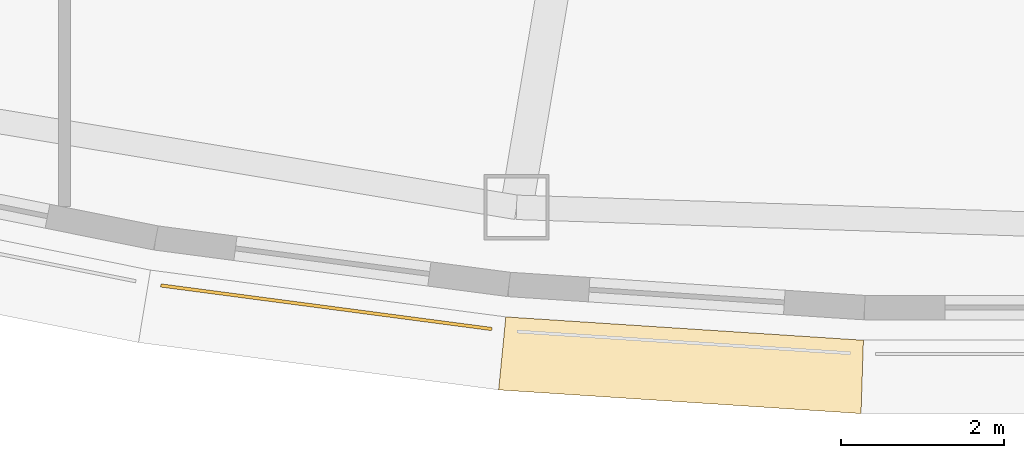
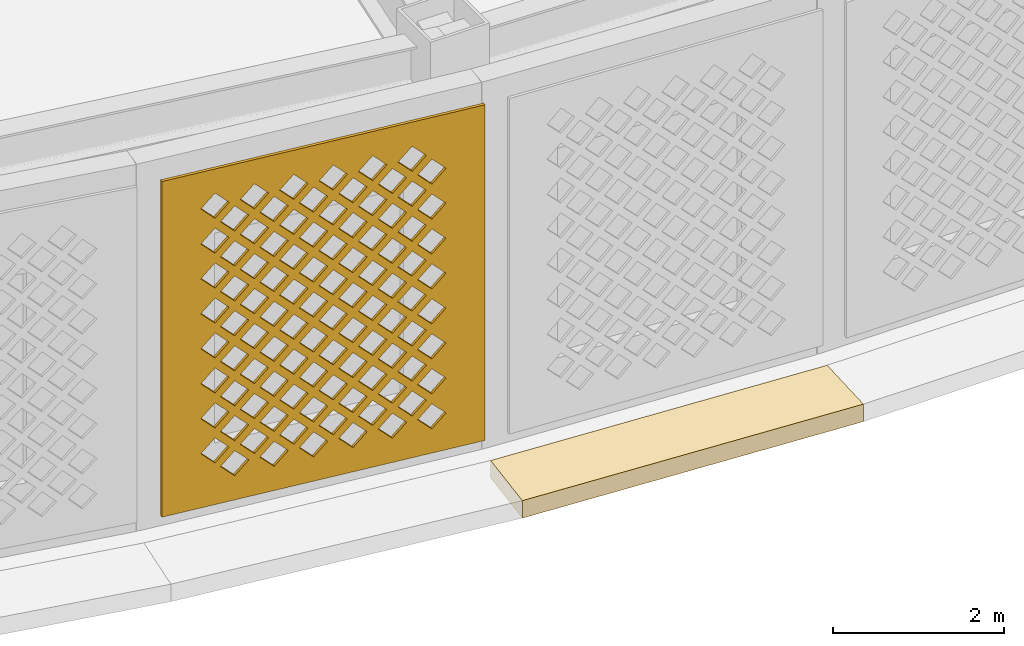
# One storey, part 50 of 69: 2 coverings.
"""IFC4 building model written with IfcOpenShell, lengths in metres."""

from ifc_helpers import new_model, si_unit, direction, frame, origin, place, context, subcontext, project, spatial, polyline, outline, extrude, material, layer, layer_set, type_object, element, save


model = new_model("IFC4")

# Units and contexts
model_context = context("Model", 3, precision=1e-05, world=origin(), true_north=direction((0.0, 1.0)))
body_context = subcontext(model_context, "Body", "Model", "MODEL_VIEW")
ifc_project = project(units=[si_unit("LENGTHUNIT", "METRE"), si_unit("AREAUNIT", "SQUARE_METRE"), si_unit("VOLUMEUNIT", "CUBIC_METRE"), si_unit("PLANEANGLEUNIT", "RADIAN"), si_unit("MASSUNIT", "GRAM", prefix="KILO")], contexts=[model_context])

# Site, building, storey
site_placement = place(None, origin())
site = spatial("IfcSite", under=ifc_project, at=site_placement, CompositionType="ELEMENT")
building_placement = place(site_placement, origin())
building = spatial("IfcBuilding", under=site, at=building_placement, Name="Noorbagh Ring Tower", CompositionType="ELEMENT")
storey_placement = place(building_placement, frame((0.0, 0.0, 19.5)))
storey = spatial("IfcBuildingStorey", under=building, at=storey_placement, Name="L03", CompositionType="ELEMENT", Elevation=19.5)

# Coverings
ifc_material_1 = material(Name="Red sandstone eave", Category="masonry")
covering_type_1 = type_object("IfcCoveringType", Name="STY-CHHAJJA", PredefinedType="USERDEFINED", material=ifc_material_1)
covering_1_placement = place(storey_placement, frame((0.0, 0.0, -0.25)))
element("IfcCovering", 1, at=covering_1_placement, inside=storey, type_object=covering_type_1, Name="Chhajja eave", ObjectType="CHHAJJA", PredefinedType="USERDEFINED", context=body_context, shape_type="SweptSolid", body=[
    extrude(outline(polyline([(-6.586181640625, -39.677978515625), (-2.198486328125, -39.964111328125), (-2.227783203125, -40.8642578125), (-6.67431640625, -40.573974609375), (-6.586181640625, -39.677978515625)])), origin(), (0.0, 0.0, 1.0), 0.25),
])
ifc_material_2 = material(Name="Red sandstone jali", Category="masonry")
ifc_layer = layer(ifc_material_2, 0.0400390625)
ifc_layer_set = layer_set([ifc_layer], Name="Red sandstone jali")
covering_type_2 = type_object("IfcCoveringType", Name="STY-JALI", PredefinedType="USERDEFINED", material=ifc_layer_set)
covering_2_placement = place(storey_placement, frame((-10.82177734375, -39.311767578125, 0.449951171875), z_axis=(-0.130559329934, -0.991440498148, 0.0), x_axis=(0.991440498148, -0.130559329934, 0.0)))
element("IfcCovering", 2, at=covering_2_placement, inside=storey, type_object=covering_type_2, Name="Jali screen", ObjectType="SCREEN", PredefinedType="USERDEFINED", context=body_context, shape_type="SweptSolid", body=[
    extrude(outline(polyline([(0.0, 0.0), (4.09716796875, 0.0), (4.09716796875, 4.800048828125), (0.0, 4.800048828125), (0.0, 0.0)]), holes=[polyline([(0.743408203125, 0.52490234375), (0.923583984375, 0.344970703125), (1.103515625, 0.52490234375), (0.923583984375, 0.705078125), (0.743408203125, 0.52490234375)]), polyline([(1.243408203125, 0.52490234375), (1.423583984375, 0.344970703125), (1.603515625, 0.52490234375), (1.423583984375, 0.705078125), (1.243408203125, 0.52490234375)]), polyline([(1.743408203125, 0.52490234375), (1.923583984375, 0.344970703125), (2.103515625, 0.52490234375), (1.923583984375, 0.705078125), (1.743408203125, 0.52490234375)]), polyline([(2.243408203125, 0.52490234375), (2.423583984375, 0.344970703125), (2.603515625, 0.52490234375), (2.423583984375, 0.705078125), (2.243408203125, 0.52490234375)]), polyline([(2.743408203125, 0.52490234375), (2.923583984375, 0.344970703125), (3.103515625, 0.52490234375), (2.923583984375, 0.705078125), (2.743408203125, 0.52490234375)]), polyline([(3.243408203125, 0.52490234375), (3.423583984375, 0.344970703125), (3.603515625, 0.52490234375), (3.423583984375, 0.705078125), (3.243408203125, 0.52490234375)]), polyline([(0.493408203125, 0.77490234375), (0.673583984375, 0.594970703125), (0.853515625, 0.77490234375), (0.673583984375, 0.955078125), (0.493408203125, 0.77490234375)]), polyline([(0.993408203125, 0.77490234375), (1.173583984375, 0.594970703125), (1.353515625, 0.77490234375), (1.173583984375, 0.955078125), (0.993408203125, 0.77490234375)]), polyline([(1.493408203125, 0.77490234375), (1.673583984375, 0.594970703125), (1.853515625, 0.77490234375), (1.673583984375, 0.955078125), (1.493408203125, 0.77490234375)]), polyline([(1.993408203125, 0.77490234375), (2.173583984375, 0.594970703125), (2.353515625, 0.77490234375), (2.173583984375, 0.955078125), (1.993408203125, 0.77490234375)]), polyline([(2.493408203125, 0.77490234375), (2.673583984375, 0.594970703125), (2.853515625, 0.77490234375), (2.673583984375, 0.955078125), (2.493408203125, 0.77490234375)]), polyline([(2.993408203125, 0.77490234375), (3.173583984375, 0.594970703125), (3.353515625, 0.77490234375), (3.173583984375, 0.955078125), (2.993408203125, 0.77490234375)]), polyline([(0.743408203125, 1.02490234375), (0.923583984375, 0.844970703125), (1.103515625, 1.02490234375), (0.923583984375, 1.205078125), (0.743408203125, 1.02490234375)]), polyline([(1.243408203125, 1.02490234375), (1.423583984375, 0.844970703125), (1.603515625, 1.02490234375), (1.423583984375, 1.205078125), (1.243408203125, 1.02490234375)]), polyline([(1.743408203125, 1.02490234375), (1.923583984375, 0.844970703125), (2.103515625, 1.02490234375), (1.923583984375, 1.205078125), (1.743408203125, 1.02490234375)]), polyline([(2.243408203125, 1.02490234375), (2.423583984375, 0.844970703125), (2.603515625, 1.02490234375), (2.423583984375, 1.205078125), (2.243408203125, 1.02490234375)]), polyline([(2.743408203125, 1.02490234375), (2.923583984375, 0.844970703125), (3.103515625, 1.02490234375), (2.923583984375, 1.205078125), (2.743408203125, 1.02490234375)]), polyline([(3.243408203125, 1.02490234375), (3.423583984375, 0.844970703125), (3.603515625, 1.02490234375), (3.423583984375, 1.205078125), (3.243408203125, 1.02490234375)]), polyline([(0.493408203125, 1.27490234375), (0.673583984375, 1.094970703125), (0.853515625, 1.27490234375), (0.673583984375, 1.455078125), (0.493408203125, 1.27490234375)]), polyline([(0.993408203125, 1.27490234375), (1.173583984375, 1.094970703125), (1.353515625, 1.27490234375), (1.173583984375, 1.455078125), (0.993408203125, 1.27490234375)]), polyline([(1.493408203125, 1.27490234375), (1.673583984375, 1.094970703125), (1.853515625, 1.27490234375), (1.673583984375, 1.455078125), (1.493408203125, 1.27490234375)]), polyline([(1.993408203125, 1.27490234375), (2.173583984375, 1.094970703125), (2.353515625, 1.27490234375), (2.173583984375, 1.455078125), (1.993408203125, 1.27490234375)]), polyline([(2.493408203125, 1.27490234375), (2.673583984375, 1.094970703125), (2.853515625, 1.27490234375), (2.673583984375, 1.455078125), (2.493408203125, 1.27490234375)]), polyline([(2.993408203125, 1.27490234375), (3.173583984375, 1.094970703125), (3.353515625, 1.27490234375), (3.173583984375, 1.455078125), (2.993408203125, 1.27490234375)]), polyline([(0.743408203125, 1.52490234375), (0.923583984375, 1.344970703125), (1.103515625, 1.52490234375), (0.923583984375, 1.705078125), (0.743408203125, 1.52490234375)]), polyline([(1.243408203125, 1.52490234375), (1.423583984375, 1.344970703125), (1.603515625, 1.52490234375), (1.423583984375, 1.705078125), (1.243408203125, 1.52490234375)]), polyline([(1.743408203125, 1.52490234375), (1.923583984375, 1.344970703125), (2.103515625, 1.52490234375), (1.923583984375, 1.705078125), (1.743408203125, 1.52490234375)]), polyline([(2.243408203125, 1.52490234375), (2.423583984375, 1.344970703125), (2.603515625, 1.52490234375), (2.423583984375, 1.705078125), (2.243408203125, 1.52490234375)]), polyline([(2.743408203125, 1.52490234375), (2.923583984375, 1.344970703125), (3.103515625, 1.52490234375), (2.923583984375, 1.705078125), (2.743408203125, 1.52490234375)]), polyline([(3.243408203125, 1.52490234375), (3.423583984375, 1.344970703125), (3.603515625, 1.52490234375), (3.423583984375, 1.705078125), (3.243408203125, 1.52490234375)]), polyline([(0.493408203125, 1.77490234375), (0.673583984375, 1.594970703125), (0.853515625, 1.77490234375), (0.673583984375, 1.955078125), (0.493408203125, 1.77490234375)]), polyline([(0.993408203125, 1.77490234375), (1.173583984375, 1.594970703125), (1.353515625, 1.77490234375), (1.173583984375, 1.955078125), (0.993408203125, 1.77490234375)]), polyline([(1.493408203125, 1.77490234375), (1.673583984375, 1.594970703125), (1.853515625, 1.77490234375), (1.673583984375, 1.955078125), (1.493408203125, 1.77490234375)]), polyline([(1.993408203125, 1.77490234375), (2.173583984375, 1.594970703125), (2.353515625, 1.77490234375), (2.173583984375, 1.955078125), (1.993408203125, 1.77490234375)]), polyline([(2.493408203125, 1.77490234375), (2.673583984375, 1.594970703125), (2.853515625, 1.77490234375), (2.673583984375, 1.955078125), (2.493408203125, 1.77490234375)]), polyline([(2.993408203125, 1.77490234375), (3.173583984375, 1.594970703125), (3.353515625, 1.77490234375), (3.173583984375, 1.955078125), (2.993408203125, 1.77490234375)]), polyline([(0.743408203125, 2.02490234375), (0.923583984375, 1.844970703125), (1.103515625, 2.02490234375), (0.923583984375, 2.205078125), (0.743408203125, 2.02490234375)]), polyline([(1.243408203125, 2.02490234375), (1.423583984375, 1.844970703125), (1.603515625, 2.02490234375), (1.423583984375, 2.205078125), (1.243408203125, 2.02490234375)]), polyline([(1.743408203125, 2.02490234375), (1.923583984375, 1.844970703125), (2.103515625, 2.02490234375), (1.923583984375, 2.205078125), (1.743408203125, 2.02490234375)]), polyline([(2.243408203125, 2.02490234375), (2.423583984375, 1.844970703125), (2.603515625, 2.02490234375), (2.423583984375, 2.205078125), (2.243408203125, 2.02490234375)]), polyline([(2.743408203125, 2.02490234375), (2.923583984375, 1.844970703125), (3.103515625, 2.02490234375), (2.923583984375, 2.205078125), (2.743408203125, 2.02490234375)]), polyline([(3.243408203125, 2.02490234375), (3.423583984375, 1.844970703125), (3.603515625, 2.02490234375), (3.423583984375, 2.205078125), (3.243408203125, 2.02490234375)]), polyline([(0.493408203125, 2.27490234375), (0.673583984375, 2.094970703125), (0.853515625, 2.27490234375), (0.673583984375, 2.455078125), (0.493408203125, 2.27490234375)]), polyline([(0.993408203125, 2.27490234375), (1.173583984375, 2.094970703125), (1.353515625, 2.27490234375), (1.173583984375, 2.455078125), (0.993408203125, 2.27490234375)]), polyline([(1.493408203125, 2.27490234375), (1.673583984375, 2.094970703125), (1.853515625, 2.27490234375), (1.673583984375, 2.455078125), (1.493408203125, 2.27490234375)]), polyline([(1.993408203125, 2.27490234375), (2.173583984375, 2.094970703125), (2.353515625, 2.27490234375), (2.173583984375, 2.455078125), (1.993408203125, 2.27490234375)]), polyline([(2.493408203125, 2.27490234375), (2.673583984375, 2.094970703125), (2.853515625, 2.27490234375), (2.673583984375, 2.455078125), (2.493408203125, 2.27490234375)]), polyline([(2.993408203125, 2.27490234375), (3.173583984375, 2.094970703125), (3.353515625, 2.27490234375), (3.173583984375, 2.455078125), (2.993408203125, 2.27490234375)]), polyline([(0.743408203125, 2.52490234375), (0.923583984375, 2.344970703125), (1.103515625, 2.52490234375), (0.923583984375, 2.705078125), (0.743408203125, 2.52490234375)]), polyline([(1.243408203125, 2.52490234375), (1.423583984375, 2.344970703125), (1.603515625, 2.52490234375), (1.423583984375, 2.705078125), (1.243408203125, 2.52490234375)]), polyline([(1.743408203125, 2.52490234375), (1.923583984375, 2.344970703125), (2.103515625, 2.52490234375), (1.923583984375, 2.705078125), (1.743408203125, 2.52490234375)]), polyline([(2.243408203125, 2.52490234375), (2.423583984375, 2.344970703125), (2.603515625, 2.52490234375), (2.423583984375, 2.705078125), (2.243408203125, 2.52490234375)]), polyline([(2.743408203125, 2.52490234375), (2.923583984375, 2.344970703125), (3.103515625, 2.52490234375), (2.923583984375, 2.705078125), (2.743408203125, 2.52490234375)]), polyline([(3.243408203125, 2.52490234375), (3.423583984375, 2.344970703125), (3.603515625, 2.52490234375), (3.423583984375, 2.705078125), (3.243408203125, 2.52490234375)]), polyline([(0.493408203125, 2.77490234375), (0.673583984375, 2.594970703125), (0.853515625, 2.77490234375), (0.673583984375, 2.955078125), (0.493408203125, 2.77490234375)]), polyline([(0.993408203125, 2.77490234375), (1.173583984375, 2.594970703125), (1.353515625, 2.77490234375), (1.173583984375, 2.955078125), (0.993408203125, 2.77490234375)]), polyline([(1.493408203125, 2.77490234375), (1.673583984375, 2.594970703125), (1.853515625, 2.77490234375), (1.673583984375, 2.955078125), (1.493408203125, 2.77490234375)]), polyline([(1.993408203125, 2.77490234375), (2.173583984375, 2.594970703125), (2.353515625, 2.77490234375), (2.173583984375, 2.955078125), (1.993408203125, 2.77490234375)]), polyline([(2.493408203125, 2.77490234375), (2.673583984375, 2.594970703125), (2.853515625, 2.77490234375), (2.673583984375, 2.955078125), (2.493408203125, 2.77490234375)]), polyline([(2.993408203125, 2.77490234375), (3.173583984375, 2.594970703125), (3.353515625, 2.77490234375), (3.173583984375, 2.955078125), (2.993408203125, 2.77490234375)]), polyline([(0.743408203125, 3.02490234375), (0.923583984375, 2.844970703125), (1.103515625, 3.02490234375), (0.923583984375, 3.205078125), (0.743408203125, 3.02490234375)]), polyline([(1.243408203125, 3.02490234375), (1.423583984375, 2.844970703125), (1.603515625, 3.02490234375), (1.423583984375, 3.205078125), (1.243408203125, 3.02490234375)]), polyline([(1.743408203125, 3.02490234375), (1.923583984375, 2.844970703125), (2.103515625, 3.02490234375), (1.923583984375, 3.205078125), (1.743408203125, 3.02490234375)]), polyline([(2.243408203125, 3.02490234375), (2.423583984375, 2.844970703125), (2.603515625, 3.02490234375), (2.423583984375, 3.205078125), (2.243408203125, 3.02490234375)]), polyline([(2.743408203125, 3.02490234375), (2.923583984375, 2.844970703125), (3.103515625, 3.02490234375), (2.923583984375, 3.205078125), (2.743408203125, 3.02490234375)]), polyline([(3.243408203125, 3.02490234375), (3.423583984375, 2.844970703125), (3.603515625, 3.02490234375), (3.423583984375, 3.205078125), (3.243408203125, 3.02490234375)]), polyline([(0.493408203125, 3.27490234375), (0.673583984375, 3.094970703125), (0.853515625, 3.27490234375), (0.673583984375, 3.455078125), (0.493408203125, 3.27490234375)]), polyline([(0.993408203125, 3.27490234375), (1.173583984375, 3.094970703125), (1.353515625, 3.27490234375), (1.173583984375, 3.455078125), (0.993408203125, 3.27490234375)]), polyline([(1.493408203125, 3.27490234375), (1.673583984375, 3.094970703125), (1.853515625, 3.27490234375), (1.673583984375, 3.455078125), (1.493408203125, 3.27490234375)]), polyline([(1.993408203125, 3.27490234375), (2.173583984375, 3.094970703125), (2.353515625, 3.27490234375), (2.173583984375, 3.455078125), (1.993408203125, 3.27490234375)]), polyline([(2.493408203125, 3.27490234375), (2.673583984375, 3.094970703125), (2.853515625, 3.27490234375), (2.673583984375, 3.455078125), (2.493408203125, 3.27490234375)]), polyline([(2.993408203125, 3.27490234375), (3.173583984375, 3.094970703125), (3.353515625, 3.27490234375), (3.173583984375, 3.455078125), (2.993408203125, 3.27490234375)]), polyline([(0.743408203125, 3.52490234375), (0.923583984375, 3.344970703125), (1.103515625, 3.52490234375), (0.923583984375, 3.705078125), (0.743408203125, 3.52490234375)]), polyline([(1.243408203125, 3.52490234375), (1.423583984375, 3.344970703125), (1.603515625, 3.52490234375), (1.423583984375, 3.705078125), (1.243408203125, 3.52490234375)]), polyline([(1.743408203125, 3.52490234375), (1.923583984375, 3.344970703125), (2.103515625, 3.52490234375), (1.923583984375, 3.705078125), (1.743408203125, 3.52490234375)]), polyline([(2.243408203125, 3.52490234375), (2.423583984375, 3.344970703125), (2.603515625, 3.52490234375), (2.423583984375, 3.705078125), (2.243408203125, 3.52490234375)]), polyline([(2.743408203125, 3.52490234375), (2.923583984375, 3.344970703125), (3.103515625, 3.52490234375), (2.923583984375, 3.705078125), (2.743408203125, 3.52490234375)]), polyline([(3.243408203125, 3.52490234375), (3.423583984375, 3.344970703125), (3.603515625, 3.52490234375), (3.423583984375, 3.705078125), (3.243408203125, 3.52490234375)]), polyline([(0.493408203125, 3.77490234375), (0.673583984375, 3.594970703125), (0.853515625, 3.77490234375), (0.673583984375, 3.955078125), (0.493408203125, 3.77490234375)]), polyline([(0.993408203125, 3.77490234375), (1.173583984375, 3.594970703125), (1.353515625, 3.77490234375), (1.173583984375, 3.955078125), (0.993408203125, 3.77490234375)]), polyline([(1.493408203125, 3.77490234375), (1.673583984375, 3.594970703125), (1.853515625, 3.77490234375), (1.673583984375, 3.955078125), (1.493408203125, 3.77490234375)]), polyline([(1.993408203125, 3.77490234375), (2.173583984375, 3.594970703125), (2.353515625, 3.77490234375), (2.173583984375, 3.955078125), (1.993408203125, 3.77490234375)]), polyline([(2.493408203125, 3.77490234375), (2.673583984375, 3.594970703125), (2.853515625, 3.77490234375), (2.673583984375, 3.955078125), (2.493408203125, 3.77490234375)]), polyline([(2.993408203125, 3.77490234375), (3.173583984375, 3.594970703125), (3.353515625, 3.77490234375), (3.173583984375, 3.955078125), (2.993408203125, 3.77490234375)]), polyline([(0.743408203125, 4.02490234375), (0.923583984375, 3.844970703125), (1.103515625, 4.02490234375), (0.923583984375, 4.205078125), (0.743408203125, 4.02490234375)]), polyline([(1.243408203125, 4.02490234375), (1.423583984375, 3.844970703125), (1.603515625, 4.02490234375), (1.423583984375, 4.205078125), (1.243408203125, 4.02490234375)]), polyline([(1.743408203125, 4.02490234375), (1.923583984375, 3.844970703125), (2.103515625, 4.02490234375), (1.923583984375, 4.205078125), (1.743408203125, 4.02490234375)]), polyline([(2.243408203125, 4.02490234375), (2.423583984375, 3.844970703125), (2.603515625, 4.02490234375), (2.423583984375, 4.205078125), (2.243408203125, 4.02490234375)]), polyline([(2.743408203125, 4.02490234375), (2.923583984375, 3.844970703125), (3.103515625, 4.02490234375), (2.923583984375, 4.205078125), (2.743408203125, 4.02490234375)]), polyline([(3.243408203125, 4.02490234375), (3.423583984375, 3.844970703125), (3.603515625, 4.02490234375), (3.423583984375, 4.205078125), (3.243408203125, 4.02490234375)]), polyline([(0.493408203125, 4.27490234375), (0.673583984375, 4.094970703125), (0.853515625, 4.27490234375), (0.673583984375, 4.455078125), (0.493408203125, 4.27490234375)]), polyline([(0.993408203125, 4.27490234375), (1.173583984375, 4.094970703125), (1.353515625, 4.27490234375), (1.173583984375, 4.455078125), (0.993408203125, 4.27490234375)]), polyline([(1.493408203125, 4.27490234375), (1.673583984375, 4.094970703125), (1.853515625, 4.27490234375), (1.673583984375, 4.455078125), (1.493408203125, 4.27490234375)]), polyline([(1.993408203125, 4.27490234375), (2.173583984375, 4.094970703125), (2.353515625, 4.27490234375), (2.173583984375, 4.455078125), (1.993408203125, 4.27490234375)]), polyline([(2.493408203125, 4.27490234375), (2.673583984375, 4.094970703125), (2.853515625, 4.27490234375), (2.673583984375, 4.455078125), (2.493408203125, 4.27490234375)]), polyline([(2.993408203125, 4.27490234375), (3.173583984375, 4.094970703125), (3.353515625, 4.27490234375), (3.173583984375, 4.455078125), (2.993408203125, 4.27490234375)])]), origin(), (0.0, 0.0, -1.0), 0.0400390625),
])

save(model, "model.ifc")
